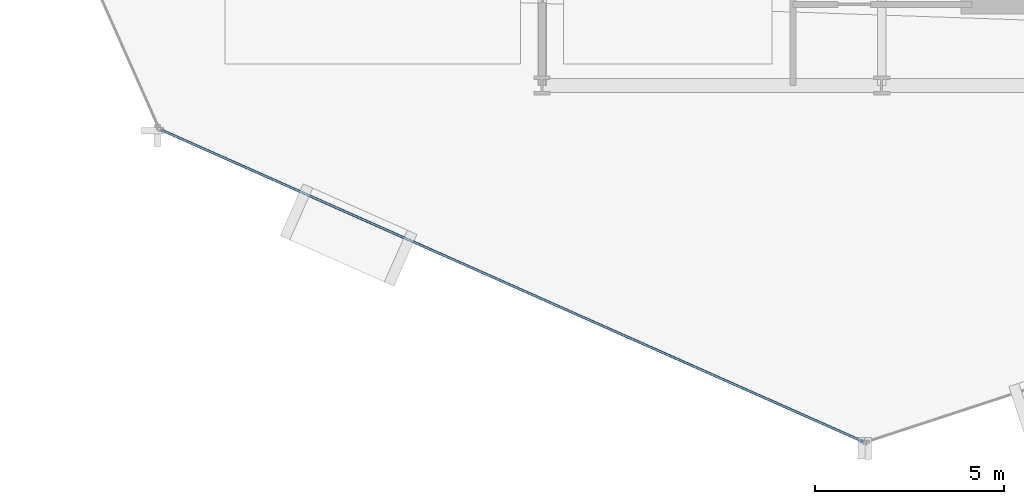
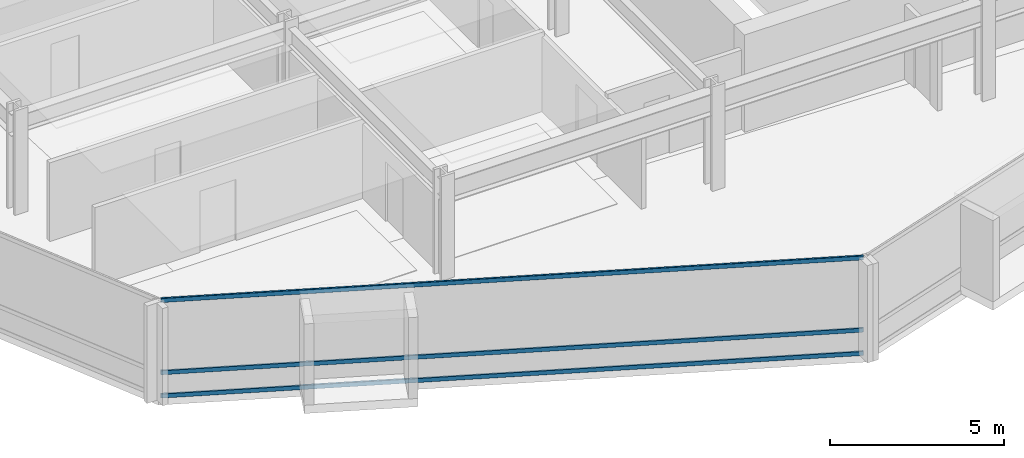
# One storey, part 3 of 34: 3 members, 1 element without a shape of its own.
"""IFC4 building model written with IfcOpenShell, lengths in metres."""

import ifcopenshell
import ifcopenshell.guid

model = None  # the IFC model being written
_history = None  # IfcOwnerHistory: only IFC2X3 demands one
_inside = {}  # id of a spatial element -> (the spatial element, [elements in it])
_under = {}  # id of a project, library or spatial element -> (it, [spatial elements below it])
_declared = {}  # id of a project -> (the project, [libraries it declares])
_typed = {}  # id of a type object -> (the type object, [elements of that type])
_made_of = {}  # id of a material, layer set ... -> (it, [elements and type objects made of it])


def new_model(schema):
    """Start an empty IFC model of exactly this schema.

    Asked for "IFC4X3", IfcOpenShell would pick the latest addendum, in which some entities
    have other attributes; the version numbers below select the first issue.
    IFC2X3 requires an IfcOwnerHistory on every rooted entity: one is made here for all.
    """
    global model, _history
    if schema == "IFC4X3":
        model = ifcopenshell.file(schema_version=(4, 3, 0, 0))
    else:
        model = ifcopenshell.file(schema=schema)
    _inside.clear()
    _under.clear()
    _declared.clear()
    _typed.clear()
    _made_of.clear()
    _history = None
    if model.schema == "IFC2X3":
        org = make("IfcOrganization", Name="unknown")
        user = make(
            "IfcPersonAndOrganization",
            ThePerson=make("IfcPerson", FamilyName="unknown"),
            TheOrganization=org,
        )
        app = make(
            "IfcApplication",
            ApplicationDeveloper=org,
            Version="unknown",
            ApplicationFullName="unknown",
            ApplicationIdentifier="unknown",
        )
        _history = make(
            "IfcOwnerHistory",
            OwningUser=user,
            OwningApplication=app,
            ChangeAction="ADDED",
            CreationDate=0,
        )
    return model


def make(cls, **values):
    """One entity of the class cls with the attributes given. An attribute that is None is left unset."""
    return model.create_entity(
        cls, **{name: value for name, value in values.items() if value is not None}
    )


def rooted(cls, **values):
    """An entity with a GlobalId (a new one), such as an element, a storey or a relation."""
    return make(cls, GlobalId=ifcopenshell.guid.new(), OwnerHistory=_history, **values)


def si_unit(unit_type, name, prefix=None):
    """IfcSIUnit, for example si_unit("LENGTHUNIT", "METRE", prefix="MILLI")."""
    return make("IfcSIUnit", UnitType=unit_type, Prefix=prefix, Name=name)


def assignment(units):
    """IfcUnitAssignment: the units of a project."""
    return None if units is None else make("IfcUnitAssignment", Units=units)


def point(xyz):
    """IfcCartesianPoint."""
    return None if xyz is None else make("IfcCartesianPoint", Coordinates=xyz)


def direction(xyz):
    """IfcDirection."""
    return None if xyz is None else make("IfcDirection", DirectionRatios=xyz)


def frame(location, z_axis=None, x_axis=None):
    """IfcAxis2Placement3D, a coordinate frame: its origin and axes. An axis left out is left unset."""
    return make(
        "IfcAxis2Placement3D",
        Location=point(location),
        Axis=direction(z_axis),
        RefDirection=direction(x_axis),
    )


def frame_2d(location, x_axis=None):
    """IfcAxis2Placement2D, a coordinate frame in the plane: its origin and x axis."""
    return make(
        "IfcAxis2Placement2D", Location=point(location), RefDirection=direction(x_axis)
    )


def origin():
    """The frame at (0, 0, 0) with its axes left unset."""
    return frame((0.0, 0.0, 0.0))


def origin_2d():
    """The frame at (0, 0) in the plane with its x axis left unset."""
    return frame_2d((0.0, 0.0))


def place(relative_to, where):
    """IfcLocalPlacement: puts the frame where relative to a parent placement (None: the world)."""
    return make(
        "IfcLocalPlacement", PlacementRelTo=relative_to, RelativePlacement=where
    )


def context(
    kind, dimensions, precision=None, world=None, true_north=None, identifier=None
):
    """IfcGeometricRepresentationContext, for example the 3D "Model" context."""
    return make(
        "IfcGeometricRepresentationContext",
        ContextIdentifier=identifier,
        ContextType=kind,
        CoordinateSpaceDimension=dimensions,
        Precision=precision,
        WorldCoordinateSystem=world,
        TrueNorth=true_north,
    )


def subcontext(parent, identifier, kind, view, scale=None):
    """IfcGeometricRepresentationSubContext, for example "Body" below "Model"."""
    return make(
        "IfcGeometricRepresentationSubContext",
        ContextIdentifier=identifier,
        ContextType=kind,
        ParentContext=parent,
        TargetScale=scale,
        TargetView=view,
    )


def project(units=None, contexts=None):
    """IfcProject with its units and contexts."""
    return rooted(
        "IfcProject",
        Name="project",
        RepresentationContexts=contexts,
        UnitsInContext=assignment(units),
    )


def spatial(cls, under=None, at=None, **own):
    """A site, building, storey or space (cls), placed at a placement, below another one or the project."""
    s = rooted(cls, ObjectPlacement=at, **own)
    if under is not None:
        _under.setdefault(under.id(), (under, []))[1].append(s)
    return s


def profile(cls, at=None, kind="AREA", **sizes):
    """A parametric profile (cls). Its sizes go by their IFC names, for example OverallWidth=200.0."""
    return make(cls, ProfileType=kind, Position=at, **sizes)


def hollow_rectangle(**sizes):
    """IfcRectangleHollowProfileDef."""
    return profile("IfcRectangleHollowProfileDef", **sizes)


def extrude(swept, where, along, depth):
    """IfcExtrudedAreaSolid: the profile swept, set in the frame where, extruded along a direction by depth."""
    return make(
        "IfcExtrudedAreaSolid",
        SweptArea=swept,
        Position=where,
        ExtrudedDirection=direction(along),
        Depth=depth,
    )


def shape(context_of_items, identifier, shape_type, items):
    """IfcShapeRepresentation: the items that make up one representation, for example the "Body"."""
    return make(
        "IfcShapeRepresentation",
        ContextOfItems=context_of_items,
        RepresentationIdentifier=identifier,
        RepresentationType=shape_type,
        Items=items,
    )


def material(Name=None, Category=None):
    """IfcMaterial."""
    return make("IfcMaterial", Name=Name, Category=Category)


def layer(
    of_material, thickness, ventilated=None, Name=None, Category=None, Priority=None
):
    """IfcMaterialLayer: one layer of a wall or slab, of a material (None: an air gap)."""
    return make(
        "IfcMaterialLayer",
        Material=of_material,
        LayerThickness=thickness,
        IsVentilated=ventilated,
        Name=Name,
        Category=Category,
        Priority=Priority,
    )


def layer_set(layers, Name=None):
    """IfcMaterialLayerSet."""
    return make("IfcMaterialLayerSet", MaterialLayers=layers, LayerSetName=Name)


def material_profile(
    of_material, cross_section, Name=None, Category=None, Priority=None
):
    """IfcMaterialProfile: a cross section and its material."""
    return make(
        "IfcMaterialProfile",
        Name=Name,
        Material=of_material,
        Profile=cross_section,
        Priority=Priority,
        Category=Category,
    )


def profile_set(profiles, Name=None, composite=None):
    """IfcMaterialProfileSet."""
    return make(
        "IfcMaterialProfileSet",
        Name=Name,
        MaterialProfiles=profiles,
        CompositeProfile=composite,
    )


def made_of(thing, what):
    """Note that an element or type object is made of a material, layer set ...; save() writes the relation."""
    if what is not None:
        _made_of.setdefault(what.id(), (what, []))[1].append(thing)
    return thing


def type_object(cls, material=None, **own):
    """A type object (cls), such as IfcWallType, which elements share."""
    return made_of(rooted(cls, **own), material)


def element(
    cls,
    number,
    at=None,
    inside=None,
    cuts=None,
    type_object=None,
    material=None,
    context=None,
    identifier="Body",
    shape_type=None,
    held_by="IfcProductDefinitionShape",
    body=None,
    shapes=None,
    **own,
):
    """One element of the class cls, such as IfcWall. Its Tag is "e" and its number.

    at: its placement. inside: the storey or other place that contains it. cuts: it is an
    opening in that element (IfcRelVoidsElement). A single representation is given by context,
    identifier, shape_type and body (its items); several are given by shapes. held_by: the class
    of the entity that holds the representations. save() writes the other relations.
    """
    e = rooted(cls, Tag="e%d" % number, ObjectPlacement=at, **own)
    if body is not None:
        shapes = [shape(context, identifier, shape_type, body)]
    if shapes is not None:
        e.Representation = make(held_by, Representations=shapes)
    if inside is not None:
        _inside.setdefault(inside.id(), (inside, []))[1].append(e)
    if cuts is not None:
        rooted(
            "IfcRelVoidsElement", RelatingBuildingElement=cuts, RelatedOpeningElement=e
        )
    if type_object is not None:
        _typed.setdefault(type_object.id(), (type_object, []))[1].append(e)
    return made_of(e, material)


def aggregate(whole, parts):
    """IfcRelAggregates: a whole, such as a stair, and the parts it consists of."""
    return rooted("IfcRelAggregates", RelatingObject=whole, RelatedObjects=parts)


def save(model, path):
    """Write the relations noted so far, then the file.

    IfcRelAggregates (storeys below a building ...), IfcRelContainedInSpatialStructure (elements
    in a storey), IfcRelDefinesByType, IfcRelAssociatesMaterial and IfcRelDeclares: one each for
    every whole, place, type object, material and project.
    """
    for whole, parts in _under.values():
        aggregate(whole, parts)
    for where, things in _inside.values():
        rooted(
            "IfcRelContainedInSpatialStructure",
            RelatedElements=things,
            RelatingStructure=where,
        )
    for kind, things in _typed.values():
        rooted("IfcRelDefinesByType", RelatedObjects=things, RelatingType=kind)
    for what, things in _made_of.values():
        rooted("IfcRelAssociatesMaterial", RelatedObjects=things, RelatingMaterial=what)
    for by, libraries in _declared.values():
        rooted("IfcRelDeclares", RelatingContext=by, RelatedDefinitions=libraries)
    model.write(path)


model = new_model("IFC4")

# Units and contexts
model_context = context("Model", 3, precision=1e-05, world=origin(), true_north=direction((0.0, 1.0)))
body_context = subcontext(model_context, "Body", "Model", "MODEL_VIEW")
ifc_project = project(units=[si_unit("LENGTHUNIT", "METRE"), si_unit("AREAUNIT", "SQUARE_METRE"), si_unit("VOLUMEUNIT", "CUBIC_METRE"), si_unit("PLANEANGLEUNIT", "RADIAN"), si_unit("MASSUNIT", "GRAM", prefix="KILO")], contexts=[model_context])

# Site, building, storey
site_placement = place(None, origin())
site = spatial("IfcSite", under=ifc_project, at=site_placement, CompositionType="ELEMENT")
building_placement = place(site_placement, origin())
building = spatial("IfcBuilding", under=site, at=building_placement, Name="Solvaryn Broadcast Tower", CompositionType="ELEMENT")
storey_placement = place(building_placement, frame((0.0, 0.0, 39.699951171875)))
storey = spatial("IfcBuildingStorey", under=building, at=storey_placement, Name="L08", CompositionType="ELEMENT", Elevation=39.699951171875)

# Curtain wall, members
ifc_material_1 = material(Name="Aluminium and Terracotta Unitised Curtain Wall", Category="masonry")
ifc_layer = layer(ifc_material_1, 0.199951171875)
ifc_layer_set = layer_set([ifc_layer], Name="CW-SYS2-LOWMID")
curtain_wall_type = type_object("IfcCurtainWallType", Name="CW-SYS2-LOWMID", PredefinedType="NOTDEFINED", material=ifc_layer_set)
curtain_wall_placement = place(storey_placement, origin())
curtain_wall = element("IfcCurtainWall", 1, at=curtain_wall_placement, inside=storey, type_object=curtain_wall_type, Name="L08 Curtain Wall DR3", PredefinedType="NOTDEFINED")
ifc_material_2 = material(Name="Anodised Aluminium 6063-T6", Category="aluminium")
ifc_material_profile = material_profile(ifc_material_2, hollow_rectangle(XDim=0.06494140625, YDim=0.14990234375, WallThickness=0.00390625, InnerFilletRadius=0.00390625, OuterFilletRadius=0.008056640625, at=origin_2d()))
ifc_profile_set = profile_set([ifc_material_profile], Name="Anodised Aluminium 6063-T6")
member_type = type_object("IfcMemberType", Name="CW-TRN-150", PredefinedType="USERDEFINED", material=ifc_profile_set)
member_1_placement = place(storey_placement, frame((7.90185546875, 7.82275390625, 0.030029296875), z_axis=(0.913914888191, -0.405905872269, 0.0), x_axis=(0.405905872269, 0.913914888191, 0.0)))
member_1 = element("IfcMember", 2, at=member_1_placement, type_object=member_type, Name="CWS2 transom 1.1", ObjectType="TRANSOM", PredefinedType="USERDEFINED", context=body_context, shape_type="SweptSolid", body=[
    extrude(hollow_rectangle(XDim=0.06494140625, YDim=0.14990234375, WallThickness=0.00390625, InnerFilletRadius=0.00390625, OuterFilletRadius=0.008056640625, at=origin_2d()), origin(), (0.0, 0.0, 1.0), 20.35546875),
])
member_2_placement = place(storey_placement, frame((7.90185546875, 7.82275390625, 0.85009765625), z_axis=(0.913914888191, -0.405905872269, 0.0), x_axis=(0.405905872269, 0.913914888191, 0.0)))
member_2 = element("IfcMember", 3, at=member_2_placement, type_object=member_type, Name="CWS2 transom 1.2", ObjectType="TRANSOM", PredefinedType="USERDEFINED", context=body_context, shape_type="SweptSolid", body=[
    extrude(hollow_rectangle(XDim=0.06494140625, YDim=0.14990234375, WallThickness=0.00390625, InnerFilletRadius=0.00390625, OuterFilletRadius=0.008056640625, at=origin_2d()), origin(), (0.0, 0.0, 1.0), 20.35546875),
])
member_3_placement = place(storey_placement, frame((7.90185546875, 7.82275390625, 3.39013671875), z_axis=(0.913914888191, -0.405905872269, 0.0), x_axis=(0.405905872269, 0.913914888191, 0.0)))
member_3 = element("IfcMember", 4, at=member_3_placement, type_object=member_type, Name="CWS2 transom 1.3", ObjectType="TRANSOM", PredefinedType="USERDEFINED", context=body_context, shape_type="SweptSolid", body=[
    extrude(hollow_rectangle(XDim=0.06494140625, YDim=0.14990234375, WallThickness=0.00390625, InnerFilletRadius=0.00390625, OuterFilletRadius=0.008056640625, at=origin_2d()), origin(), (0.0, 0.0, 1.0), 20.35546875),
])
aggregate(curtain_wall, [member_1, member_2, member_3])

save(model, "model.ifc")
